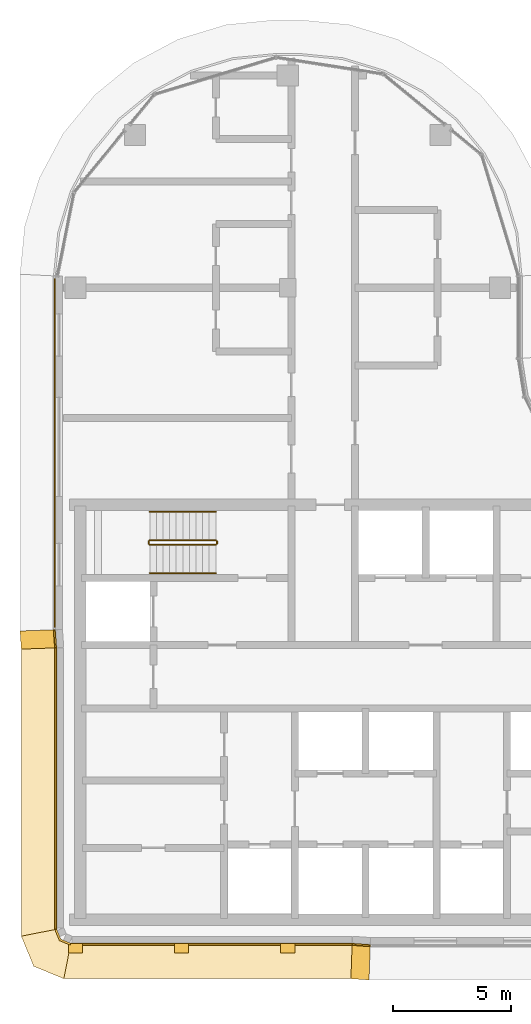
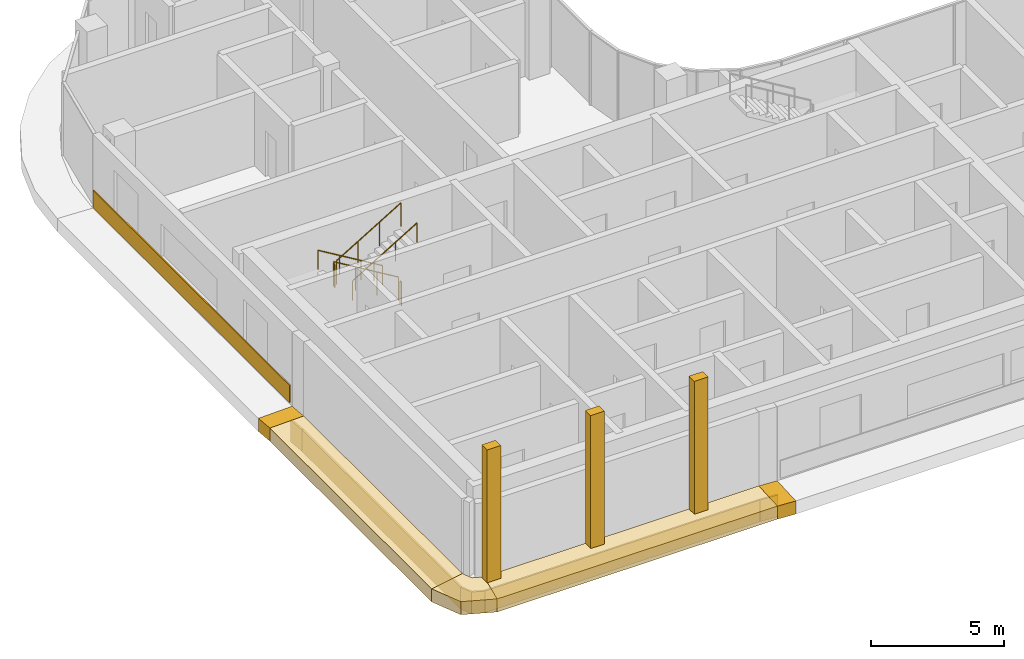
# One storey, part 18 of 22: 14 coverings, 6 railings.
"""IFC4 building model written with IfcOpenShell, lengths in metres."""

import ifcopenshell
import ifcopenshell.guid

model = None  # the IFC model being written
_history = None  # IfcOwnerHistory: only IFC2X3 demands one
_inside = {}  # id of a spatial element -> (the spatial element, [elements in it])
_under = {}  # id of a project, library or spatial element -> (it, [spatial elements below it])
_declared = {}  # id of a project -> (the project, [libraries it declares])
_typed = {}  # id of a type object -> (the type object, [elements of that type])
_made_of = {}  # id of a material, layer set ... -> (it, [elements and type objects made of it])


def new_model(schema):
    """Start an empty IFC model of exactly this schema.

    Asked for "IFC4X3", IfcOpenShell would pick the latest addendum, in which some entities
    have other attributes; the version numbers below select the first issue.
    IFC2X3 requires an IfcOwnerHistory on every rooted entity: one is made here for all.
    """
    global model, _history
    if schema == "IFC4X3":
        model = ifcopenshell.file(schema_version=(4, 3, 0, 0))
    else:
        model = ifcopenshell.file(schema=schema)
    _inside.clear()
    _under.clear()
    _declared.clear()
    _typed.clear()
    _made_of.clear()
    _history = None
    if model.schema == "IFC2X3":
        org = make("IfcOrganization", Name="unknown")
        user = make(
            "IfcPersonAndOrganization",
            ThePerson=make("IfcPerson", FamilyName="unknown"),
            TheOrganization=org,
        )
        app = make(
            "IfcApplication",
            ApplicationDeveloper=org,
            Version="unknown",
            ApplicationFullName="unknown",
            ApplicationIdentifier="unknown",
        )
        _history = make(
            "IfcOwnerHistory",
            OwningUser=user,
            OwningApplication=app,
            ChangeAction="ADDED",
            CreationDate=0,
        )
    return model


def make(cls, **values):
    """One entity of the class cls with the attributes given. An attribute that is None is left unset."""
    return model.create_entity(
        cls, **{name: value for name, value in values.items() if value is not None}
    )


def rooted(cls, **values):
    """An entity with a GlobalId (a new one), such as an element, a storey or a relation."""
    return make(cls, GlobalId=ifcopenshell.guid.new(), OwnerHistory=_history, **values)


def si_unit(unit_type, name, prefix=None):
    """IfcSIUnit, for example si_unit("LENGTHUNIT", "METRE", prefix="MILLI")."""
    return make("IfcSIUnit", UnitType=unit_type, Prefix=prefix, Name=name)


def assignment(units):
    """IfcUnitAssignment: the units of a project."""
    return None if units is None else make("IfcUnitAssignment", Units=units)


def point(xyz):
    """IfcCartesianPoint."""
    return None if xyz is None else make("IfcCartesianPoint", Coordinates=xyz)


def direction(xyz):
    """IfcDirection."""
    return None if xyz is None else make("IfcDirection", DirectionRatios=xyz)


def frame(location, z_axis=None, x_axis=None):
    """IfcAxis2Placement3D, a coordinate frame: its origin and axes. An axis left out is left unset."""
    return make(
        "IfcAxis2Placement3D",
        Location=point(location),
        Axis=direction(z_axis),
        RefDirection=direction(x_axis),
    )


def frame_2d(location, x_axis=None):
    """IfcAxis2Placement2D, a coordinate frame in the plane: its origin and x axis."""
    return make(
        "IfcAxis2Placement2D", Location=point(location), RefDirection=direction(x_axis)
    )


def origin():
    """The frame at (0, 0, 0) with its axes left unset."""
    return frame((0.0, 0.0, 0.0))


def origin_2d():
    """The frame at (0, 0) in the plane with its x axis left unset."""
    return frame_2d((0.0, 0.0))


def place(relative_to, where):
    """IfcLocalPlacement: puts the frame where relative to a parent placement (None: the world)."""
    return make(
        "IfcLocalPlacement", PlacementRelTo=relative_to, RelativePlacement=where
    )


def context(
    kind, dimensions, precision=None, world=None, true_north=None, identifier=None
):
    """IfcGeometricRepresentationContext, for example the 3D "Model" context."""
    return make(
        "IfcGeometricRepresentationContext",
        ContextIdentifier=identifier,
        ContextType=kind,
        CoordinateSpaceDimension=dimensions,
        Precision=precision,
        WorldCoordinateSystem=world,
        TrueNorth=true_north,
    )


def subcontext(parent, identifier, kind, view, scale=None):
    """IfcGeometricRepresentationSubContext, for example "Body" below "Model"."""
    return make(
        "IfcGeometricRepresentationSubContext",
        ContextIdentifier=identifier,
        ContextType=kind,
        ParentContext=parent,
        TargetScale=scale,
        TargetView=view,
    )


def project(units=None, contexts=None):
    """IfcProject with its units and contexts."""
    return rooted(
        "IfcProject",
        Name="project",
        RepresentationContexts=contexts,
        UnitsInContext=assignment(units),
    )


def spatial(cls, under=None, at=None, **own):
    """A site, building, storey or space (cls), placed at a placement, below another one or the project."""
    s = rooted(cls, ObjectPlacement=at, **own)
    if under is not None:
        _under.setdefault(under.id(), (under, []))[1].append(s)
    return s


def polyline(points):
    """IfcPolyline through the points."""
    return make("IfcPolyline", Points=[point(p) for p in points])


def profile(cls, at=None, kind="AREA", **sizes):
    """A parametric profile (cls). Its sizes go by their IFC names, for example OverallWidth=200.0."""
    return make(cls, ProfileType=kind, Position=at, **sizes)


def rectangle(**sizes):
    """IfcRectangleProfileDef."""
    return profile("IfcRectangleProfileDef", **sizes)


def circle(**sizes):
    """IfcCircleProfileDef."""
    return profile("IfcCircleProfileDef", **sizes)


def outline(outer, holes=None, kind="AREA"):
    """IfcArbitraryClosedProfileDef: a profile drawn as a closed curve; with holes, ...WithVoids."""
    if holes is None:
        return make("IfcArbitraryClosedProfileDef", ProfileType=kind, OuterCurve=outer)
    return make(
        "IfcArbitraryProfileDefWithVoids",
        ProfileType=kind,
        OuterCurve=outer,
        InnerCurves=holes,
    )


def extrude(swept, where, along, depth):
    """IfcExtrudedAreaSolid: the profile swept, set in the frame where, extruded along a direction by depth."""
    return make(
        "IfcExtrudedAreaSolid",
        SweptArea=swept,
        Position=where,
        ExtrudedDirection=direction(along),
        Depth=depth,
    )


def shape(context_of_items, identifier, shape_type, items):
    """IfcShapeRepresentation: the items that make up one representation, for example the "Body"."""
    return make(
        "IfcShapeRepresentation",
        ContextOfItems=context_of_items,
        RepresentationIdentifier=identifier,
        RepresentationType=shape_type,
        Items=items,
    )


def material(Name=None, Category=None):
    """IfcMaterial."""
    return make("IfcMaterial", Name=Name, Category=Category)


def layer(
    of_material, thickness, ventilated=None, Name=None, Category=None, Priority=None
):
    """IfcMaterialLayer: one layer of a wall or slab, of a material (None: an air gap)."""
    return make(
        "IfcMaterialLayer",
        Material=of_material,
        LayerThickness=thickness,
        IsVentilated=ventilated,
        Name=Name,
        Category=Category,
        Priority=Priority,
    )


def layer_set(layers, Name=None):
    """IfcMaterialLayerSet."""
    return make("IfcMaterialLayerSet", MaterialLayers=layers, LayerSetName=Name)


def made_of(thing, what):
    """Note that an element or type object is made of a material, layer set ...; save() writes the relation."""
    if what is not None:
        _made_of.setdefault(what.id(), (what, []))[1].append(thing)
    return thing


def type_object(cls, material=None, **own):
    """A type object (cls), such as IfcWallType, which elements share."""
    return made_of(rooted(cls, **own), material)


def element(
    cls,
    number,
    at=None,
    inside=None,
    cuts=None,
    type_object=None,
    material=None,
    context=None,
    identifier="Body",
    shape_type=None,
    held_by="IfcProductDefinitionShape",
    body=None,
    shapes=None,
    **own,
):
    """One element of the class cls, such as IfcWall. Its Tag is "e" and its number.

    at: its placement. inside: the storey or other place that contains it. cuts: it is an
    opening in that element (IfcRelVoidsElement). A single representation is given by context,
    identifier, shape_type and body (its items); several are given by shapes. held_by: the class
    of the entity that holds the representations. save() writes the other relations.
    """
    e = rooted(cls, Tag="e%d" % number, ObjectPlacement=at, **own)
    if body is not None:
        shapes = [shape(context, identifier, shape_type, body)]
    if shapes is not None:
        e.Representation = make(held_by, Representations=shapes)
    if inside is not None:
        _inside.setdefault(inside.id(), (inside, []))[1].append(e)
    if cuts is not None:
        rooted(
            "IfcRelVoidsElement", RelatingBuildingElement=cuts, RelatedOpeningElement=e
        )
    if type_object is not None:
        _typed.setdefault(type_object.id(), (type_object, []))[1].append(e)
    return made_of(e, material)


def aggregate(whole, parts):
    """IfcRelAggregates: a whole, such as a stair, and the parts it consists of."""
    return rooted("IfcRelAggregates", RelatingObject=whole, RelatedObjects=parts)


def save(model, path):
    """Write the relations noted so far, then the file.

    IfcRelAggregates (storeys below a building ...), IfcRelContainedInSpatialStructure (elements
    in a storey), IfcRelDefinesByType, IfcRelAssociatesMaterial and IfcRelDeclares: one each for
    every whole, place, type object, material and project.
    """
    for whole, parts in _under.values():
        aggregate(whole, parts)
    for where, things in _inside.values():
        rooted(
            "IfcRelContainedInSpatialStructure",
            RelatedElements=things,
            RelatingStructure=where,
        )
    for kind, things in _typed.values():
        rooted("IfcRelDefinesByType", RelatedObjects=things, RelatingType=kind)
    for what, things in _made_of.values():
        rooted("IfcRelAssociatesMaterial", RelatedObjects=things, RelatingMaterial=what)
    for by, libraries in _declared.values():
        rooted("IfcRelDeclares", RelatingContext=by, RelatedDefinitions=libraries)
    model.write(path)


model = new_model("IFC4")

# Units and contexts
model_context = context("Model", 3, precision=1e-05, world=origin(), true_north=direction((0.0, 1.0)))
body_context = subcontext(model_context, "Body", "Model", "MODEL_VIEW")
ifc_project = project(units=[si_unit("LENGTHUNIT", "METRE"), si_unit("AREAUNIT", "SQUARE_METRE"), si_unit("VOLUMEUNIT", "CUBIC_METRE"), si_unit("PLANEANGLEUNIT", "RADIAN"), si_unit("MASSUNIT", "GRAM", prefix="KILO")], contexts=[model_context])

# Site, building, storey
site_placement = place(None, origin())
site = spatial("IfcSite", under=ifc_project, at=site_placement, CompositionType="ELEMENT")
building_placement = place(site_placement, origin())
building = spatial("IfcBuilding", under=site, at=building_placement, Name="Ogive Portal Towers", CompositionType="ELEMENT")
storey_placement = place(building_placement, frame((0.0, 0.0, 206.89990234375)))
storey = spatial("IfcBuildingStorey", under=building, at=storey_placement, Name="L51", CompositionType="ELEMENT", Elevation=206.89990234375)

# Railings
ifc_material_1 = material(Name="Stainless steel balustrade", Category="steel")
railing_type_1 = type_object("IfcRailingType", Name="INT-GUARD", PredefinedType="GUARDRAIL", material=ifc_material_1)
railing_1_placement = place(storey_placement, frame((37.449951171875, 37.800048828125, 0.168212890625)))
element("IfcRailing", 1, at=railing_1_placement, inside=storey, type_object=railing_type_1, Name="L51 ST-A1 stair guard 1", PredefinedType="GUARDRAIL", context=body_context, shape_type="SweptSolid", body=[
    extrude(circle(Radius=0.02392578125, at=origin_2d()), frame((0.0, 0.0, 1.076171875), z_axis=(-0.857242210791, 0.0, 0.514913383045), x_axis=(0.0, -1.0, 0.0)), (0.0, 0.0, 1.0), 3.266357421875),
    extrude(circle(Radius=0.02099609375, at=origin_2d()), origin(), (0.0, 0.0, 1.0), 1.052001953125),
    extrude(circle(Radius=0.02099609375, at=origin_2d()), frame((-0.933349609375, 0.0, 0.560546875)), (0.0, 0.0, 1.0), 1.052001953125),
    extrude(circle(Radius=0.02099609375, at=origin_2d()), frame((-1.86669921875, 0.0, 1.121337890625)), (0.0, 0.0, 1.0), 1.052001953125),
    extrude(circle(Radius=0.02099609375, at=origin_2d()), frame((-2.800048828125, 0.0, 1.681884765625)), (0.0, 0.0, 1.0), 1.052001953125),
])
railing_2_placement = place(storey_placement, frame((34.60009765625, 37.75, 1.85009765625)))
element("IfcRailing", 2, at=railing_2_placement, inside=storey, type_object=railing_type_1, Name="L51 ST-A1 stair guard 2", PredefinedType="GUARDRAIL", context=body_context, shape_type="SweptSolid", body=[
    extrude(circle(Radius=0.02392578125, at=origin_2d()), frame((0.0, 0.0, 1.076171875), z_axis=(0.0, -1.0, 0.0), x_axis=(1.0, 0.0, 0.0)), (0.0, 0.0, 1.0), 0.10009765625),
    extrude(circle(Radius=0.02099609375, at=origin_2d()), origin(), (0.0, 0.0, 1.0), 1.052001953125),
    extrude(circle(Radius=0.02099609375, at=origin_2d()), frame((0.0, -0.10009765625, 0.0)), (0.0, 0.0, 1.0), 1.052001953125),
])
railing_3_placement = place(storey_placement, frame((34.64990234375, 37.60009765625, 2.018310546875)))
element("IfcRailing", 3, at=railing_3_placement, inside=storey, type_object=railing_type_1, Name="L51 ST-A1 stair guard 3", PredefinedType="GUARDRAIL", context=body_context, shape_type="SweptSolid", body=[
    extrude(circle(Radius=0.02392578125, at=origin_2d()), frame((0.0, 0.0, 1.076171875), z_axis=(0.857242210791, 0.0, 0.514913383045), x_axis=(0.0, 1.0, 0.0)), (0.0, 0.0, 1.0), 3.266357421875),
    extrude(circle(Radius=0.02099609375, at=origin_2d()), origin(), (0.0, 0.0, 1.0), 1.052001953125),
    extrude(circle(Radius=0.02099609375, at=origin_2d()), frame((0.933349609375, 0.0, 0.560546875)), (0.0, 0.0, 1.0), 1.052001953125),
    extrude(circle(Radius=0.02099609375, at=origin_2d()), frame((1.86669921875, 0.0, 1.121337890625)), (0.0, 0.0, 1.0), 1.052001953125),
    extrude(circle(Radius=0.02099609375, at=origin_2d()), frame((2.800048828125, 0.0, 1.681884765625)), (0.0, 0.0, 1.0), 1.052001953125),
])
railing_4_placement = place(storey_placement, frame((37.5, 37.75, 0.0)))
element("IfcRailing", 4, at=railing_4_placement, inside=storey, type_object=railing_type_1, Name="L51 ST-A1 stair guard 4", PredefinedType="GUARDRAIL", context=body_context, shape_type="SweptSolid", body=[
    extrude(circle(Radius=0.02392578125, at=origin_2d()), frame((0.0, 0.0, 1.076171875), z_axis=(0.0, -1.0, 0.0), x_axis=(1.0, 0.0, 0.0)), (0.0, 0.0, 1.0), 0.10009765625),
    extrude(circle(Radius=0.02099609375, at=origin_2d()), origin(), (0.0, 0.0, 1.0), 1.052001953125),
    extrude(circle(Radius=0.02099609375, at=origin_2d()), frame((0.0, -0.10009765625, 0.0)), (0.0, 0.0, 1.0), 1.052001953125),
])
ifc_material_2 = material(Name="Stainless steel handrail", Category="steel")
railing_type_2 = type_object("IfcRailingType", Name="INT-HANDRAIL", PredefinedType="HANDRAIL", material=ifc_material_2)
railing_5_placement = place(storey_placement, frame((37.449951171875, 39.0, 0.168212890625)))
element("IfcRailing", 5, at=railing_5_placement, inside=storey, type_object=railing_type_2, Name="L51 ST-A1 stair handrail 1", PredefinedType="HANDRAIL", context=body_context, shape_type="SweptSolid", body=[
    extrude(circle(Radius=0.02392578125, at=origin_2d()), frame((0.0, 0.0, 0.8759765625), z_axis=(-0.857242210791, 0.0, 0.514913383045), x_axis=(0.0, -1.0, 0.0)), (0.0, 0.0, 1.0), 3.266357421875),
    extrude(circle(Radius=0.02099609375, at=origin_2d()), origin(), (0.0, 0.0, 1.0), 0.851806640625),
    extrude(circle(Radius=0.02099609375, at=origin_2d()), frame((-0.933349609375, 0.0, 0.560546875)), (0.0, 0.0, 1.0), 0.851806640625),
    extrude(circle(Radius=0.02099609375, at=origin_2d()), frame((-1.86669921875, 0.0, 1.121337890625)), (0.0, 0.0, 1.0), 0.851806640625),
    extrude(circle(Radius=0.02099609375, at=origin_2d()), frame((-2.800048828125, 0.0, 1.681884765625)), (0.0, 0.0, 1.0), 0.851806640625),
])
railing_6_placement = place(storey_placement, frame((34.64990234375, 36.39990234375, 2.018310546875)))
element("IfcRailing", 6, at=railing_6_placement, inside=storey, type_object=railing_type_2, Name="L51 ST-A1 stair handrail 2", PredefinedType="HANDRAIL", context=body_context, shape_type="SweptSolid", body=[
    extrude(circle(Radius=0.02392578125, at=origin_2d()), frame((0.0, 0.0, 0.8759765625), z_axis=(0.857242210791, 0.0, 0.514913383045), x_axis=(0.0, 1.0, 0.0)), (0.0, 0.0, 1.0), 3.266357421875),
    extrude(circle(Radius=0.02099609375, at=origin_2d()), origin(), (0.0, 0.0, 1.0), 0.851806640625),
    extrude(circle(Radius=0.02099609375, at=origin_2d()), frame((0.933349609375, 0.0, 0.560546875)), (0.0, 0.0, 1.0), 0.851806640625),
    extrude(circle(Radius=0.02099609375, at=origin_2d()), frame((1.86669921875, 0.0, 1.121337890625)), (0.0, 0.0, 1.0), 0.851806640625),
    extrude(circle(Radius=0.02099609375, at=origin_2d()), frame((2.800048828125, 0.0, 1.681884765625)), (0.0, 0.0, 1.0), 0.851806640625),
])

# Coverings
ifc_material_3 = material(Name="Limestone cladding on lightweight block wall", Category="masonry")
ifc_layer_1 = layer(ifc_material_3, 0.050048828125)
ifc_layer_set_1 = layer_set([ifc_layer_1], Name="SCREEN PERFORATED STONE")
covering_type_1 = type_object("IfcCoveringType", Name="SCREEN PERFORATED STONE", PredefinedType="CLADDING", material=ifc_layer_set_1)
covering_1_placement = place(storey_placement, frame((30.6201171875, 41.50146484375, 0.10009765625), z_axis=(0.0, 0.0, 1.0), x_axis=(0.0, -1.0, 0.0)))
element("IfcCovering", 7, at=covering_1_placement, inside=storey, type_object=covering_type_1, Name="Tracery screen", PredefinedType="CLADDING", context=body_context, shape_type="SweptSolid", body=[
    extrude(rectangle(XDim=14.781494140625, YDim=0.050048828125, at=origin_2d()), origin(), (0.0, 0.0, 1.0), 0.800048828125),
])
ifc_layer_2 = layer(ifc_material_3, 0.39990234375)
ifc_layer_set_2 = layer_set([ifc_layer_2], Name="SPINE PIER STONE")
covering_type_2 = type_object("IfcCoveringType", Name="SPINE PIER STONE", PredefinedType="CLADDING", material=ifc_layer_set_2)
for number, where, z_axis, x_axis, name in (
    (8, (31.5, 20.5, 0.0), (0.0, 0.0, 1.0), (1.0, 0.0, 0.0), "SPINE PIER"),
    (9, (36.0, 20.5, 0.0), (0.0, 0.0, 1.0), (1.0, 0.0, 0.0), "SPINE PIER"),
    (10, (40.5, 20.5, 0.0), (0.0, 0.0, 1.0), (1.0, 0.0, 0.0), "SPINE PIER"),
):
    element("IfcCovering", number, at=place(storey_placement, frame(where, z_axis=z_axis, x_axis=x_axis)), inside=storey, type_object=covering_type_2, Name=name, PredefinedType="CLADDING", context=body_context, shape_type="SweptSolid", body=[
        extrude(rectangle(XDim=0.60009765625, YDim=0.39990234375, at=origin_2d()), origin(), (0.0, 0.0, 1.0), 6.10009765625),
    ])
ifc_layer_3 = layer(ifc_material_3, 0.080078125)
ifc_layer_set_3 = layer_set([ifc_layer_3], Name="STONE SPANDREL 80")
covering_type_3 = type_object("IfcCoveringType", Name="STONE SPANDREL 80", PredefinedType="CLADDING", material=ifc_layer_set_3)
covering_2_placement = place(storey_placement, frame((0.0, 0.0, -1.599853515625)))
element("IfcCovering", 11, at=covering_2_placement, inside=storey, type_object=covering_type_3, Name="Stone spandrel A1-F01", PredefinedType="CLADDING", context=body_context, shape_type="SweptSolid", body=[
    extrude(outline(polyline([(30.699951171875, 33.23095703125), (30.699951171875, 21.300048828125), (30.6201171875, 21.2841796875), (30.6201171875, 33.22802734375), (30.699951171875, 33.23095703125)])), origin(), (0.0, 0.0, 1.0), 1.0),
])
covering_3_placement = place(storey_placement, frame((0.0, 0.0, -1.599853515625)))
element("IfcCovering", 12, at=covering_3_placement, inside=storey, type_object=covering_type_3, Name="Stone spandrel A1-F02", PredefinedType="CLADDING", context=body_context, shape_type="SweptSolid", body=[
    extrude(outline(polyline([(30.699951171875, 21.300048828125), (30.875732421875, 20.875732421875), (31.300048828125, 20.699951171875), (31.2841796875, 20.6201171875), (30.814453125, 20.814453125), (30.6201171875, 21.2841796875), (30.699951171875, 21.300048828125)])), origin(), (0.0, 0.0, 1.0), 1.0),
])
covering_4_placement = place(storey_placement, frame((0.0, 0.0, -1.599853515625)))
element("IfcCovering", 13, at=covering_4_placement, inside=storey, type_object=covering_type_3, Name="Stone spandrel A1-F03", PredefinedType="CLADDING", context=body_context, shape_type="SweptSolid", body=[
    extrude(outline(polyline([(31.300048828125, 20.699951171875), (43.23095703125, 20.699951171875), (43.22802734375, 20.6201171875), (31.2841796875, 20.6201171875), (31.300048828125, 20.699951171875)])), origin(), (0.0, 0.0, 1.0), 1.0),
])
covering_5_placement = place(storey_placement, frame((0.0, 0.0, -1.599853515625)))
element("IfcCovering", 14, at=covering_5_placement, inside=storey, type_object=covering_type_3, Name="Stone spandrel A1-F04", PredefinedType="CLADDING", context=body_context, shape_type="SweptSolid", body=[
    extrude(outline(polyline([(43.23095703125, 20.699951171875), (44.0, 20.64501953125), (43.9970703125, 20.56494140625), (43.22802734375, 20.6201171875), (43.23095703125, 20.699951171875)])), origin(), (0.0, 0.0, 1.0), 1.0),
])
covering_6_placement = place(storey_placement, frame((0.0, 0.0, -1.599853515625)))
element("IfcCovering", 15, at=covering_6_placement, inside=storey, type_object=covering_type_3, Name="Stone spandrel A1-F14", PredefinedType="CLADDING", context=body_context, shape_type="SweptSolid", body=[
    extrude(outline(polyline([(30.64501953125, 34.0), (30.699951171875, 33.23095703125), (30.6201171875, 33.22802734375), (30.56494140625, 33.9970703125), (30.64501953125, 34.0)])), origin(), (0.0, 0.0, 1.0), 1.0),
])
ifc_layer_4 = layer(ifc_material_3, 0.60009765625)
ifc_layer_set_4 = layer_set([ifc_layer_4], Name="SUNSHADE LIP 600")
covering_type_4 = type_object("IfcCoveringType", Name="SUNSHADE LIP 600", PredefinedType="CLADDING", material=ifc_layer_set_4)
covering_7_placement = place(storey_placement, frame((0.0, 0.0, -0.599853515625)))
element("IfcCovering", 16, at=covering_7_placement, inside=storey, type_object=covering_type_4, Name="Sunshade lip A1-F01", PredefinedType="CLADDING", context=body_context, shape_type="SweptSolid", body=[
    extrude(outline(polyline([(30.699951171875, 33.23095703125), (30.699951171875, 21.300048828125), (29.199951171875, 21.001708984375), (29.199951171875, 33.177490234375), (30.699951171875, 33.23095703125)])), origin(), (0.0, 0.0, 1.0), 0.599853515625),
])
covering_8_placement = place(storey_placement, frame((0.0, 0.0, -0.599853515625)))
element("IfcCovering", 17, at=covering_8_placement, inside=storey, type_object=covering_type_4, Name="Sunshade lip A1-F02", PredefinedType="CLADDING", context=body_context, shape_type="SweptSolid", body=[
    extrude(outline(polyline([(30.699951171875, 21.300048828125), (30.875732421875, 20.875732421875), (31.300048828125, 20.699951171875), (31.001708984375, 19.199951171875), (29.727783203125, 19.727783203125), (29.199951171875, 21.001708984375), (30.699951171875, 21.300048828125)])), origin(), (0.0, 0.0, 1.0), 0.599853515625),
])
covering_9_placement = place(storey_placement, frame((0.0, 0.0, -0.599853515625)))
element("IfcCovering", 18, at=covering_9_placement, inside=storey, type_object=covering_type_4, Name="Sunshade lip A1-F03", PredefinedType="CLADDING", context=body_context, shape_type="SweptSolid", body=[
    extrude(outline(polyline([(31.300048828125, 20.699951171875), (43.23095703125, 20.699951171875), (43.177490234375, 19.199951171875), (31.001708984375, 19.199951171875), (31.300048828125, 20.699951171875)])), origin(), (0.0, 0.0, 1.0), 0.599853515625),
])
covering_10_placement = place(storey_placement, frame((0.0, 0.0, -0.599853515625)))
element("IfcCovering", 19, at=covering_10_placement, inside=storey, type_object=covering_type_4, Name="Sunshade lip A1-F04", PredefinedType="CLADDING", context=body_context, shape_type="SweptSolid", body=[
    extrude(outline(polyline([(43.23095703125, 20.699951171875), (44.0, 20.64501953125), (43.946533203125, 19.14501953125), (43.177490234375, 19.199951171875), (43.23095703125, 20.699951171875)])), origin(), (0.0, 0.0, 1.0), 0.599853515625),
])
covering_11_placement = place(storey_placement, frame((0.0, 0.0, -0.599853515625)))
element("IfcCovering", 20, at=covering_11_placement, inside=storey, type_object=covering_type_4, Name="Sunshade lip A1-F14", PredefinedType="CLADDING", context=body_context, shape_type="SweptSolid", body=[
    extrude(outline(polyline([(30.64501953125, 34.0), (30.699951171875, 33.23095703125), (29.199951171875, 33.177490234375), (29.14501953125, 33.946533203125), (30.64501953125, 34.0)])), origin(), (0.0, 0.0, 1.0), 0.599853515625),
])

save(model, "model.ifc")
